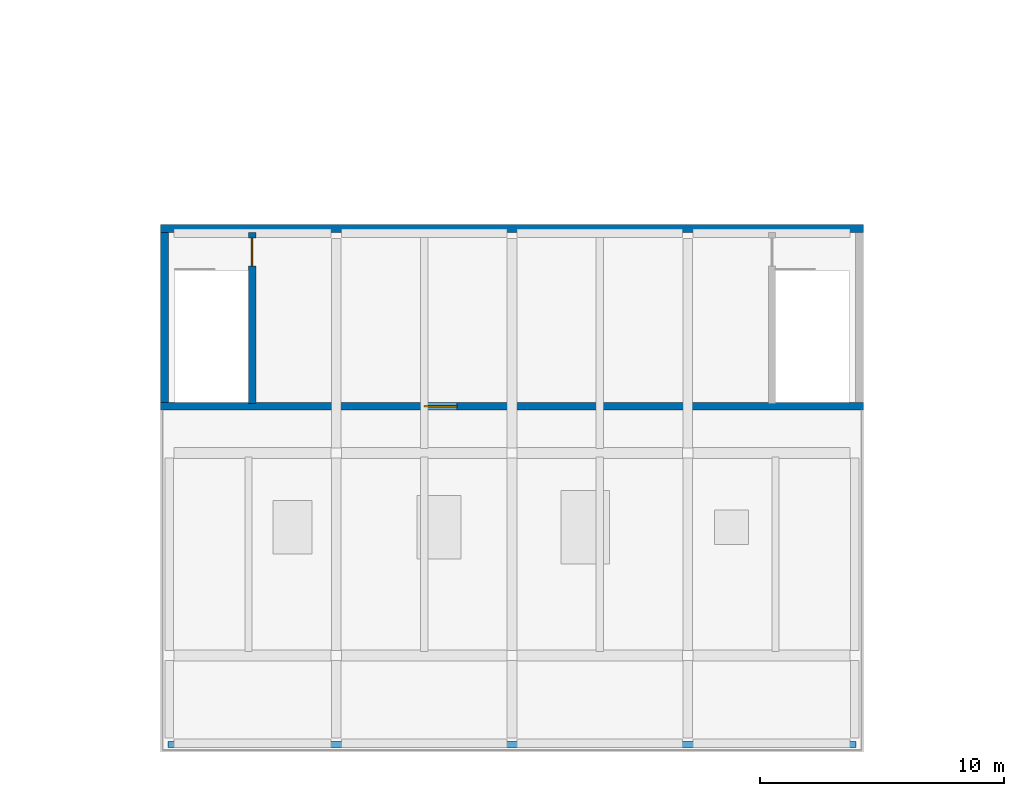
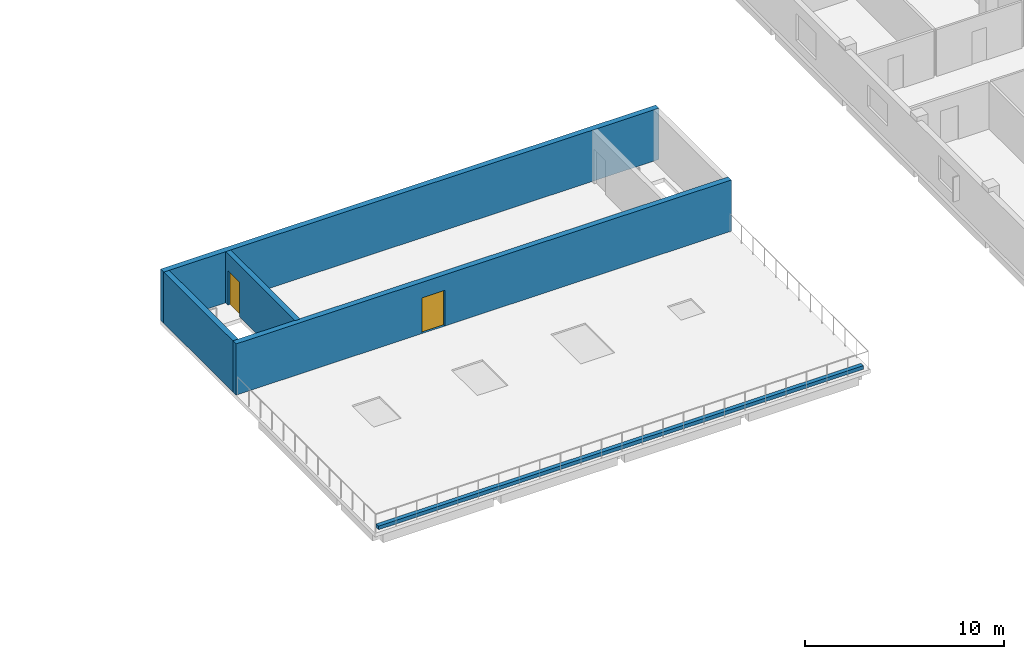
# One storey, part 29 of 56: 5 walls, 2 doors, 2 openings.
"""IFC4 building model written with IfcOpenShell, lengths in metres."""

from ifc_helpers import new_model, si_unit, derived_unit, direction, frame, frame_2d, origin, place, context, subcontext, project, spatial, rectangle, extrude, material, layer, layer_set, type_object, element, fill, save


model = new_model("IFC4")

# Units and contexts
model_context = context("Model", 3, precision=1e-05, world=origin(), true_north=direction((0.0, 1.0)))
body_context = subcontext(model_context, "Body", "Model", "MODEL_VIEW")
ifc_project = project(units=[si_unit("LENGTHUNIT", "METRE"), si_unit("AREAUNIT", "SQUARE_METRE"), si_unit("VOLUMEUNIT", "CUBIC_METRE"), si_unit("PLANEANGLEUNIT", "RADIAN"), si_unit("MASSUNIT", "GRAM", prefix="KILO"), derived_unit("THERMALTRANSMITTANCEUNIT", [(si_unit("MASSUNIT", "GRAM", prefix="KILO"), 1), (si_unit("TIMEUNIT", "SECOND"), -3), (si_unit("THERMODYNAMICTEMPERATUREUNIT", "KELVIN"), -1)])], contexts=[model_context])

# Site, building, storey
site_placement = place(None, origin())
site = spatial("IfcSite", under=ifc_project, at=site_placement, CompositionType="ELEMENT")
building_placement = place(site_placement, origin())
building = spatial("IfcBuilding", under=site, at=building_placement, Name="Ochrekiln Boulevard Commons", CompositionType="ELEMENT")
storey_placement = place(building_placement, frame((0.0, 0.0, 12.074951171875)))
storey = spatial("IfcBuildingStorey", under=building, at=storey_placement, Name="L03", CompositionType="ELEMENT", Elevation=12.074951171875)

# Wall, opening, door
ifc_material_1 = material(Name="Desert ochre clinker brick masonry ASTM C216 Grade SW", Category="masonry")
ifc_layer_1 = layer(ifc_material_1, 0.320068359375)
ifc_layer_set_1 = layer_set([ifc_layer_1], Name="Desert ochre clinker brick masonry ASTM C216 Grade SW")
wall_type_1 = type_object("IfcWallType", Name="WL-EXT-OCHRE-320", PredefinedType="SOLIDWALL", material=ifc_layer_set_1)
wall_1_placement = place(storey_placement, frame((108.0, 14.159912109375, 0.0), z_axis=(0.0, 0.0, 1.0), x_axis=(1.0, 0.0, 0.0)))
wall_1 = element("IfcWall", 1, at=wall_1_placement, inside=storey, type_object=wall_type_1, Name="East Boulevard Arcade L03 Roof Pavilion S Exterior Wall", PredefinedType="SOLIDWALL", context=body_context, shape_type="SweptSolid", body=[
    extrude(rectangle(XDim=28.800048828125, YDim=0.320068359375, at=frame_2d((14.39990234375, 0.0))), origin(), (0.0, 0.0, 1.0), 3.150146484375),
])
opening_1_placement = place(wall_1_placement, frame((10.800048828125, 0.0, 0.0)))
opening_1 = element("IfcOpeningElement", 2, at=opening_1_placement, cuts=wall_1, Name="Opening D-L03-TRE", PredefinedType="OPENING", context=body_context, shape_type="SweptSolid", body=[
    extrude(rectangle(XDim=1.35009765625, YDim=2.199951171875, at=frame_2d((0.675048828125, 1.10009765625))), frame((0.0, 0.169921875, 0.0), z_axis=(0.0, -1.0, 0.0), x_axis=(1.0, 0.0, 0.0)), (0.0, 0.0, 1.0), 0.340087890625),
])
ifc_material_2 = material(Name="Bronze-anodized extruded aluminium 6063-T6", Category="aluminium")
door_type_1 = type_object("IfcDoorType", Name="DR-EXT-TERR-135", OperationType="NOTDEFINED", PredefinedType="DOOR", material=ifc_material_2)
door_1_placement = place(opening_1_placement, frame((1.35009765625, 0.0, 0.0), z_axis=(0.0, 0.0, 1.0), x_axis=(-1.0, 0.0, 0.0)))
door_1 = element("IfcDoor", 3, at=door_1_placement, inside=storey, type_object=door_type_1, Name="East Boulevard Arcade L03 Roof Terrace Access Door", OperationType="SINGLE_SWING_LEFT", OverallHeight=2.199951171875, OverallWidth=1.35009765625, PredefinedType="DOOR", context=body_context, shape_type="SweptSolid", body=[
    extrude(rectangle(XDim=1.35009765625, YDim=2.199951171875, at=frame_2d((0.675048828125, 1.10009765625))), frame((0.0, 0.02490234375, 0.0), z_axis=(0.0, -1.0, 0.0), x_axis=(1.0, 0.0, 0.0)), (0.0, 0.0, 1.0), 0.050048828125),
])
fill(opening_1, door_1)

# Walls
wall_2_placement = place(storey_placement, frame((108.0, 21.43994140625, 0.0), z_axis=(0.0, 0.0, 1.0), x_axis=(1.0, 0.0, 0.0)))
element("IfcWall", 4, at=wall_2_placement, inside=storey, type_object=wall_type_1, Name="East Boulevard Arcade L03 Roof Pavilion N Exterior Wall", PredefinedType="SOLIDWALL", context=body_context, shape_type="SweptSolid", body=[
    extrude(rectangle(XDim=28.800048828125, YDim=0.320068359375, at=frame_2d((14.39990234375, 0.0))), origin(), (0.0, 0.0, 1.0), 3.150146484375),
])
wall_3_placement = place(storey_placement, frame((108.159912109375, 14.320068359375, 0.0), z_axis=(0.0, 0.0, 1.0), x_axis=(0.0, 1.0, 0.0)))
element("IfcWall", 5, at=wall_3_placement, inside=storey, type_object=wall_type_1, Name="East Boulevard Arcade L03 Roof Pavilion W Exterior Wall", PredefinedType="SOLIDWALL", context=body_context, shape_type="SweptSolid", body=[
    extrude(rectangle(XDim=6.9599609375, YDim=0.320068359375, at=frame_2d((3.47998046875, 0.0))), origin(), (0.0, 0.0, 1.0), 3.150146484375),
])
ifc_layer_2 = layer(ifc_material_1, 0.239990234375)
ifc_layer_set_2 = layer_set([ifc_layer_2], Name="Desert ochre clinker brick masonry ASTM C216 Grade SW")
wall_type_2 = type_object("IfcWallType", Name="WL-PAR-240", PredefinedType="PARAPET", material=ifc_layer_set_2)
wall_4_placement = place(storey_placement, frame((108.300048828125, 0.300048828125, 0.0), z_axis=(0.0, 0.0, 1.0), x_axis=(1.0, 0.0, 0.0)))
element("IfcWall", 6, at=wall_4_placement, inside=storey, type_object=wall_type_2, Name="East Boulevard Arcade L03 Terracotta Terrace Curb", PredefinedType="PARAPET", context=body_context, shape_type="SweptSolid", body=[
    extrude(rectangle(XDim=28.199951171875, YDim=0.239990234375, at=frame_2d((14.10009765625, 0.0))), origin(), (0.0, 0.0, 1.0), 0.219970703125),
])

# Wall, opening, door
ifc_material_3 = material(Name="Concrete C40/50", Category="concrete")
ifc_layer_3 = layer(ifc_material_3, 0.300048828125)
ifc_layer_set_3 = layer_set([ifc_layer_3], Name="Concrete C40/50")
wall_type_3 = type_object("IfcWallType", Name="WL-SH-300", PredefinedType="SHEAR", material=ifc_layer_set_3)
wall_5_placement = place(storey_placement, frame((111.75, 14.280029296875, 0.0), z_axis=(0.0, 0.0, 1.0), x_axis=(0.0, 1.0, 0.0)))
wall_5 = element("IfcWall", 7, at=wall_5_placement, inside=storey, type_object=wall_type_3, Name="Stair ST-E1 L03 Core Shear Wall E", PredefinedType="SHEAR", context=body_context, shape_type="SweptSolid", body=[
    extrude(rectangle(XDim=7.0, YDim=0.300048828125, at=frame_2d((3.5, 0.0))), origin(), (0.0, 0.0, 1.0), 3.150146484375),
])
opening_2_placement = place(wall_5_placement, frame((5.625, 0.0, 0.0)))
opening_2 = element("IfcOpeningElement", 8, at=opening_2_placement, cuts=wall_5, Name="Opening D-L03-ST-E1", PredefinedType="OPENING", context=body_context, shape_type="SweptSolid", body=[
    extrude(rectangle(XDim=1.14990234375, YDim=2.1201171875, at=frame_2d((0.574951171875, 1.06005859375))), frame((0.0, 0.159912109375, 0.0), z_axis=(0.0, -1.0, 0.0), x_axis=(1.0, 0.0, 0.0)), (0.0, 0.0, 1.0), 0.320068359375),
])
ifc_material_4 = material(Name="Hollow metal fire-rated steel door assembly", Category="steel")
door_type_2 = type_object("IfcDoorType", Name="DR-STAIR-90", OperationType="NOTDEFINED", PredefinedType="DOOR", material=ifc_material_4)
door_2_placement = place(opening_2_placement, origin())
door_2 = element("IfcDoor", 9, at=door_2_placement, inside=storey, type_object=door_type_2, Name="Enclosed Exit Stair ST-E1 L03 Rated Door", OperationType="SINGLE_SWING_RIGHT", OverallHeight=2.1201171875, OverallWidth=1.14990234375, PredefinedType="DOOR", context=body_context, shape_type="SweptSolid", body=[
    extrude(rectangle(XDim=1.14990234375, YDim=2.1201171875, at=frame_2d((0.574951171875, 1.06005859375))), frame((0.0, 0.02490234375, 0.0), z_axis=(0.0, -1.0, 0.0), x_axis=(1.0, 0.0, 0.0)), (0.0, 0.0, 1.0), 0.050048828125),
])
fill(opening_2, door_2)

save(model, "model.ifc")
